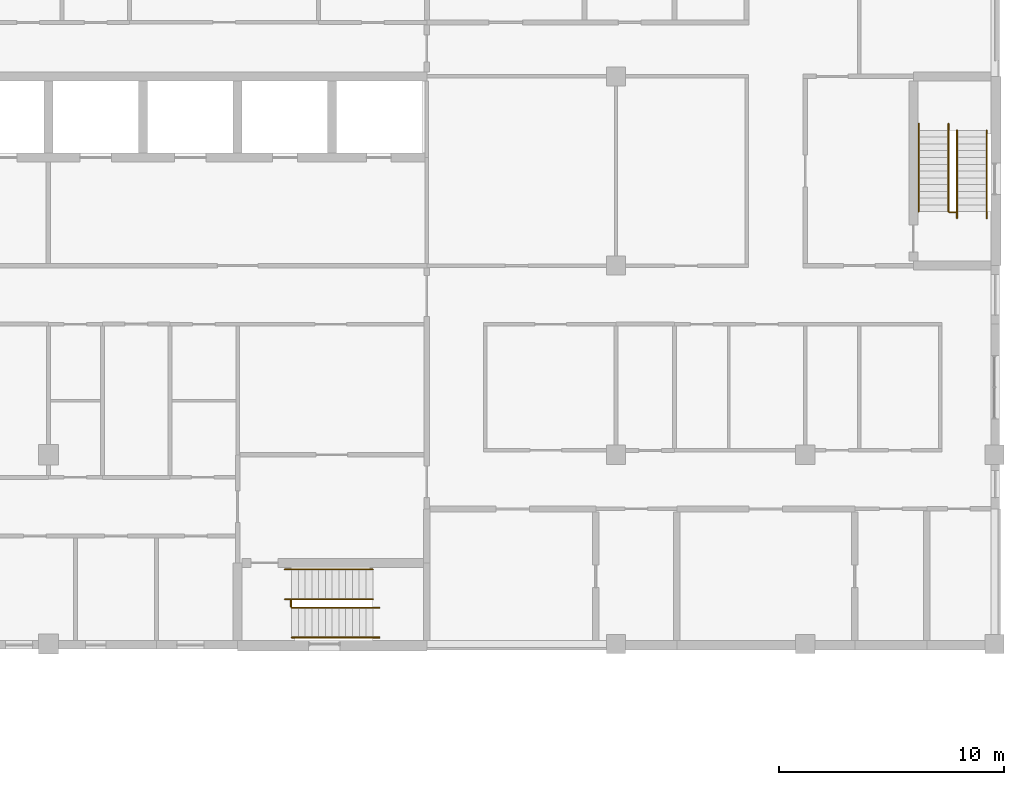
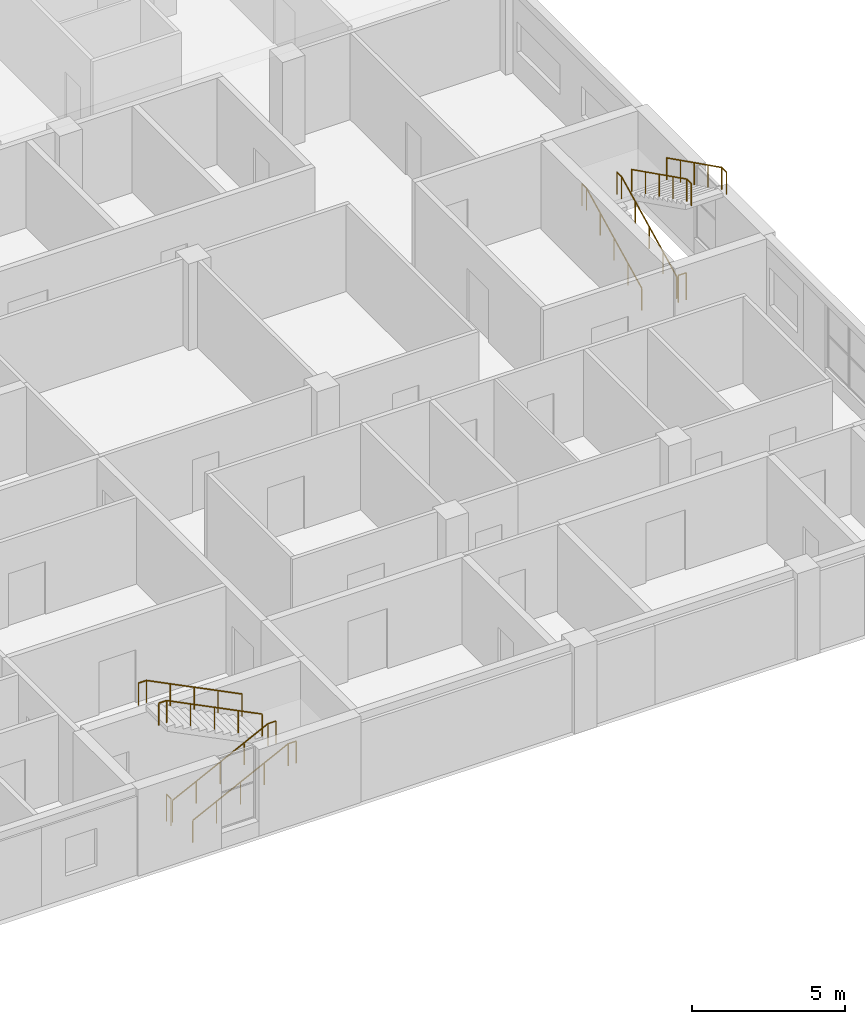
# One storey, part 92 of 94: 10 railings.
"""IFC4 building model written with IfcOpenShell, lengths in metres."""

from ifc_helpers import new_model, si_unit, direction, frame, origin, origin_2d, place, context, subcontext, project, spatial, circle, extrude, material, type_object, element, save


model = new_model("IFC4")

# Units and contexts
model_context = context("Model", 3, precision=1e-05, world=origin(), true_north=direction((0.0, 1.0)))
body_context = subcontext(model_context, "Body", "Model", "MODEL_VIEW")
ifc_project = project(units=[si_unit("LENGTHUNIT", "METRE"), si_unit("AREAUNIT", "SQUARE_METRE"), si_unit("VOLUMEUNIT", "CUBIC_METRE"), si_unit("PLANEANGLEUNIT", "RADIAN"), si_unit("MASSUNIT", "GRAM", prefix="KILO")], contexts=[model_context])

# Site, building, storey
site_placement = place(None, origin())
site = spatial("IfcSite", under=ifc_project, at=site_placement, CompositionType="ELEMENT")
building_placement = place(site_placement, origin())
building = spatial("IfcBuilding", under=site, at=building_placement, Name="Yavir Park General Hospital", CompositionType="ELEMENT")
storey_placement = place(building_placement, frame((0.0, 0.0, 4.5)))
storey = spatial("IfcBuildingStorey", under=building, at=storey_placement, Name="L01", CompositionType="ELEMENT", Elevation=4.5)

# Railings
ifc_material_1 = material(Name="Steel balustrade with infill rods", Category="steel")
railing_type_1 = type_object("IfcRailingType", Name="Stair guard, steel balustrade 1100 mm", PredefinedType="GUARDRAIL", material=ifc_material_1)
railing_1_placement = place(storey_placement, frame((136.77001953125, 1.64990234375, 0.0)))
element("IfcRailing", 1, at=railing_1_placement, inside=storey, type_object=railing_type_1, Name="Stair well guard SU5 L01", PredefinedType="GUARDRAIL", context=body_context, shape_type="SweptSolid", body=[
    extrude(circle(Radius=0.02392578125, at=origin_2d()), frame((0.0, 0.0, 1.076171875), z_axis=(0.0, 1.0, 0.0), x_axis=(-1.0, 0.0, 0.0)), (0.0, 0.0, 1.0), 0.300048828125),
    extrude(circle(Radius=0.02099609375, at=origin_2d()), origin(), (0.0, 0.0, 1.0), 1.052001953125),
    extrude(circle(Radius=0.02099609375, at=origin_2d()), frame((0.0, 0.300048828125, 0.0)), (0.0, 0.0, 1.0), 1.052001953125),
])
railing_2_placement = place(storey_placement, frame((166.0, 19.169921875, 0.0)))
element("IfcRailing", 2, at=railing_2_placement, inside=storey, type_object=railing_type_1, Name="Stair well guard SU6 L01", PredefinedType="GUARDRAIL", context=body_context, shape_type="SweptSolid", body=[
    extrude(circle(Radius=0.02392578125, at=origin_2d()), frame((0.0, 0.0, 1.076171875), z_axis=(1.0, 0.0, 0.0), x_axis=(0.0, 1.0, 0.0)), (0.0, 0.0, 1.0), 0.300048828125),
    extrude(circle(Radius=0.02099609375, at=origin_2d()), origin(), (0.0, 0.0, 1.0), 1.052001953125),
    extrude(circle(Radius=0.02099609375, at=origin_2d()), frame((0.300048828125, 0.0, 0.0)), (0.0, 0.0, 1.0), 1.052001953125),
])
ifc_material_2 = material(Name="Stainless steel tube 48 mm", Category="steel")
railing_type_2 = type_object("IfcRailingType", Name="Stair handrail, steel tube, 900 mm above the nosings", PredefinedType="HANDRAIL", material=ifc_material_2)
for number, where, name in (
    (3, (136.800048828125, 0.2900390625, 0.14990234375), "Handrail SU5 L01 1"),
    (4, (136.800048828125, 1.610107421875, 0.14990234375), "Handrail SU5 L01 2"),
):
    element("IfcRailing", number, at=place(storey_placement, frame(where)), inside=storey, type_object=railing_type_2, Name=name, PredefinedType="HANDRAIL", context=body_context, shape_type="SweptSolid", body=[
        extrude(circle(Radius=0.02392578125, at=origin_2d()), frame((0.0, 0.0, 0.8759765625), z_axis=(0.894415058897, 0.0, 0.447237858884), x_axis=(0.0, 1.0, 0.0)), (0.0, 0.0, 1.0), 4.02490234375),
        extrude(circle(Radius=0.02392578125, at=origin_2d()), frame((3.599853515625, 0.0, 2.67578125), z_axis=(1.0, 0.0, 0.0), x_axis=(0.0, 1.0, 0.0)), (0.0, 0.0, 1.0), 0.300048828125),
        extrude(circle(Radius=0.02099609375, at=origin_2d()), origin(), (0.0, 0.0, 1.0), 0.851806640625),
        extrude(circle(Radius=0.02099609375, at=origin_2d()), frame((0.89990234375, 0.0, 0.449951171875)), (0.0, 0.0, 1.0), 0.851806640625),
        extrude(circle(Radius=0.02099609375, at=origin_2d()), frame((1.7998046875, 0.0, 0.89990234375)), (0.0, 0.0, 1.0), 0.851806640625),
        extrude(circle(Radius=0.02099609375, at=origin_2d()), frame((2.699951171875, 0.0, 1.35009765625)), (0.0, 0.0, 1.0), 0.851806640625),
        extrude(circle(Radius=0.02099609375, at=origin_2d()), frame((3.599853515625, 0.0, 1.800048828125)), (0.0, 0.0, 1.0), 0.851806640625),
        extrude(circle(Radius=0.02099609375, at=origin_2d()), frame((3.89990234375, 0.0, 1.800048828125)), (0.0, 0.0, 1.0), 0.851806640625),
    ])
for number, where, name in (
    (5, (140.39990234375, 3.31005859375, 2.10009765625), "Handrail SU5 L01 3"),
    (6, (140.39990234375, 1.989990234375, 2.10009765625), "Handrail SU5 L01 4"),
):
    element("IfcRailing", number, at=place(storey_placement, frame(where)), inside=storey, type_object=railing_type_2, Name=name, PredefinedType="HANDRAIL", context=body_context, shape_type="SweptSolid", body=[
        extrude(circle(Radius=0.02392578125, at=origin_2d()), frame((0.0, 0.0, 0.8759765625), z_axis=(-0.894439322774, 0.0, 0.447189331129), x_axis=(0.0, -1.0, 0.0)), (0.0, 0.0, 1.0), 4.024658203125),
        extrude(circle(Radius=0.02392578125, at=origin_2d()), frame((-3.599853515625, 0.0, 2.67578125), z_axis=(-1.0, 0.0, 0.0), x_axis=(0.0, -1.0, 0.0)), (0.0, 0.0, 1.0), 0.300048828125),
        extrude(circle(Radius=0.02099609375, at=origin_2d()), origin(), (0.0, 0.0, 1.0), 0.851806640625),
        extrude(circle(Radius=0.02099609375, at=origin_2d()), frame((-0.89990234375, 0.0, 0.449951171875)), (0.0, 0.0, 1.0), 0.851806640625),
        extrude(circle(Radius=0.02099609375, at=origin_2d()), frame((-1.7998046875, 0.0, 0.89990234375)), (0.0, 0.0, 1.0), 0.851806640625),
        extrude(circle(Radius=0.02099609375, at=origin_2d()), frame((-2.699951171875, 0.0, 1.349853515625)), (0.0, 0.0, 1.0), 0.851806640625),
        extrude(circle(Radius=0.02099609375, at=origin_2d()), frame((-3.599853515625, 0.0, 1.7998046875)), (0.0, 0.0, 1.0), 0.851806640625),
        extrude(circle(Radius=0.02099609375, at=origin_2d()), frame((-3.89990234375, 0.0, 1.7998046875)), (0.0, 0.0, 1.0), 0.851806640625),
    ])
for number, where, name in (
    (7, (164.639892578125, 19.199951171875, 0.14990234375), "Handrail SU6 L01 1"),
    (8, (165.9599609375, 19.199951171875, 0.14990234375), "Handrail SU6 L01 2"),
):
    element("IfcRailing", number, at=place(storey_placement, frame(where)), inside=storey, type_object=railing_type_2, Name=name, PredefinedType="HANDRAIL", context=body_context, shape_type="SweptSolid", body=[
        extrude(circle(Radius=0.02392578125, at=origin_2d()), frame((0.0, 0.0, 0.8759765625), z_axis=(0.0, 0.894427191, 0.4472135955), x_axis=(-1.0, 0.0, 0.0)), (0.0, 0.0, 1.0), 4.025146484375),
        extrude(circle(Radius=0.02392578125, at=origin_2d()), frame((0.0, 3.60009765625, 2.67578125), z_axis=(0.0, 1.0, 0.0), x_axis=(-1.0, 0.0, 0.0)), (0.0, 0.0, 1.0), 0.300048828125),
        extrude(circle(Radius=0.02099609375, at=origin_2d()), origin(), (0.0, 0.0, 1.0), 0.851806640625),
        extrude(circle(Radius=0.02099609375, at=origin_2d()), frame((0.0, 0.89990234375, 0.449951171875)), (0.0, 0.0, 1.0), 0.851806640625),
        extrude(circle(Radius=0.02099609375, at=origin_2d()), frame((0.0, 1.800048828125, 0.89990234375)), (0.0, 0.0, 1.0), 0.851806640625),
        extrude(circle(Radius=0.02099609375, at=origin_2d()), frame((0.0, 2.7001953125, 1.35009765625)), (0.0, 0.0, 1.0), 0.851806640625),
        extrude(circle(Radius=0.02099609375, at=origin_2d()), frame((0.0, 3.60009765625, 1.800048828125)), (0.0, 0.0, 1.0), 0.851806640625),
        extrude(circle(Radius=0.02099609375, at=origin_2d()), frame((0.0, 3.900146484375, 1.800048828125)), (0.0, 0.0, 1.0), 0.851806640625),
    ])
for number, where, name in (
    (9, (167.659912109375, 22.800048828125, 2.10009765625), "Handrail SU6 L01 3"),
    (10, (166.340087890625, 22.800048828125, 2.10009765625), "Handrail SU6 L01 4"),
):
    element("IfcRailing", number, at=place(storey_placement, frame(where)), inside=storey, type_object=railing_type_2, Name=name, PredefinedType="HANDRAIL", context=body_context, shape_type="SweptSolid", body=[
        extrude(circle(Radius=0.02392578125, at=origin_2d()), frame((0.0, 0.0, 0.8759765625), z_axis=(0.0, -0.894451452574, 0.447165069061), x_axis=(1.0, 0.0, 0.0)), (0.0, 0.0, 1.0), 4.02490234375),
        extrude(circle(Radius=0.02392578125, at=origin_2d()), frame((0.0, -3.60009765625, 2.67578125), z_axis=(0.0, -1.0, 0.0), x_axis=(1.0, 0.0, 0.0)), (0.0, 0.0, 1.0), 0.300048828125),
        extrude(circle(Radius=0.02099609375, at=origin_2d()), origin(), (0.0, 0.0, 1.0), 0.851806640625),
        extrude(circle(Radius=0.02099609375, at=origin_2d()), frame((0.0, -0.89990234375, 0.449951171875)), (0.0, 0.0, 1.0), 0.851806640625),
        extrude(circle(Radius=0.02099609375, at=origin_2d()), frame((0.0, -1.800048828125, 0.89990234375)), (0.0, 0.0, 1.0), 0.851806640625),
        extrude(circle(Radius=0.02099609375, at=origin_2d()), frame((0.0, -2.7001953125, 1.349853515625)), (0.0, 0.0, 1.0), 0.851806640625),
        extrude(circle(Radius=0.02099609375, at=origin_2d()), frame((0.0, -3.60009765625, 1.7998046875)), (0.0, 0.0, 1.0), 0.851806640625),
        extrude(circle(Radius=0.02099609375, at=origin_2d()), frame((0.0, -3.900146484375, 1.7998046875)), (0.0, 0.0, 1.0), 0.851806640625),
    ])

save(model, "model.ifc")
